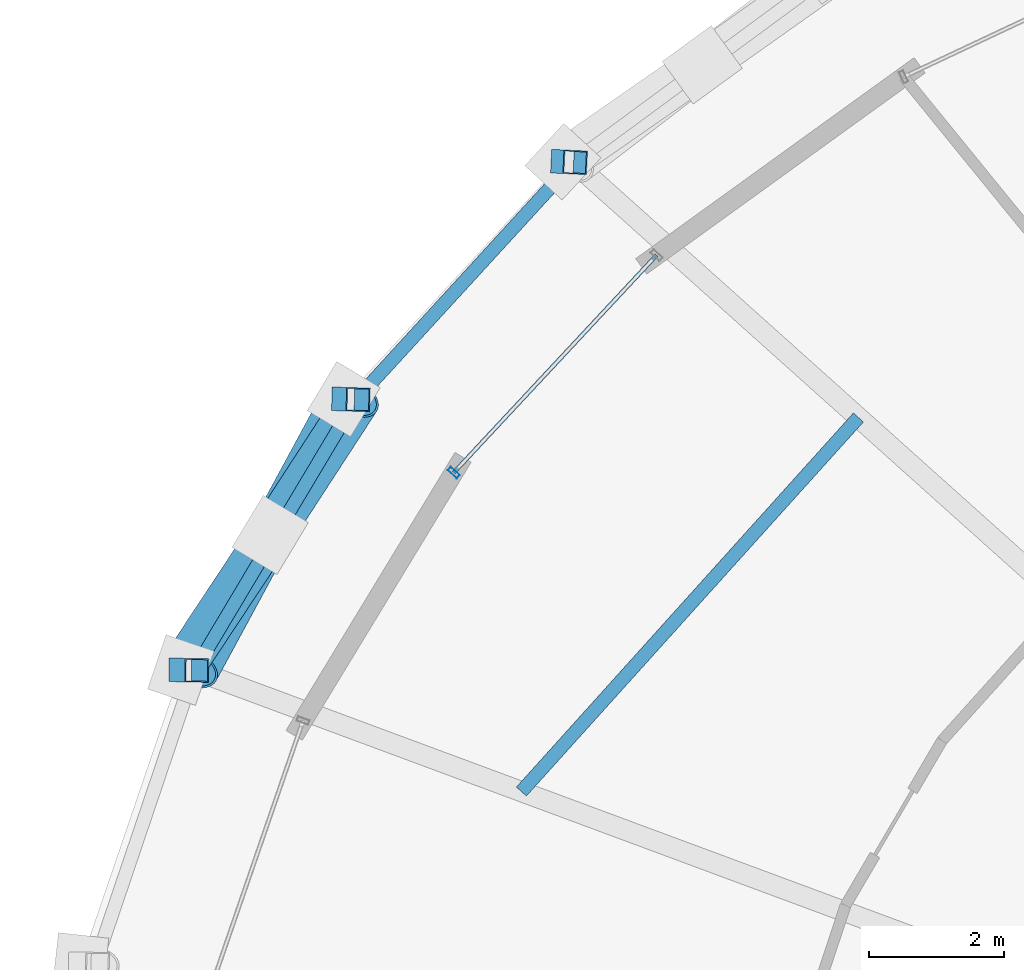
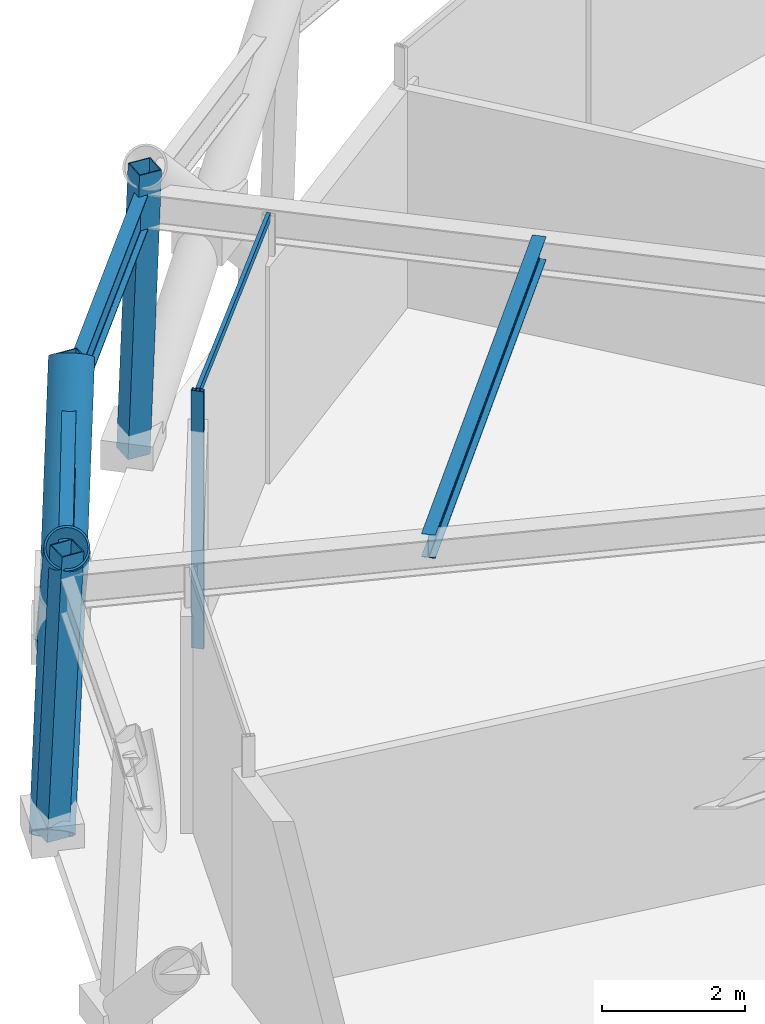
# One storey, part 15 of 29: 8 members, 3 beams, 1 element without a shape of its own.
"""IFC4 building model written with IfcOpenShell, lengths in metres."""

from ifc_helpers import new_model, si_unit, direction, frame, origin, origin_2d, place, context, subcontext, project, spatial, hollow_rectangle, hollow_circle, i_section, extrude, material, layer, layer_set, material_profile, profile_set, type_object, element, aggregate, save


model = new_model("IFC4")

# Units and contexts
model_context = context("Model", 3, precision=1e-05, world=origin(), true_north=direction((0.0, 1.0)))
body_context = subcontext(model_context, "Body", "Model", "MODEL_VIEW")
ifc_project = project(units=[si_unit("LENGTHUNIT", "METRE"), si_unit("AREAUNIT", "SQUARE_METRE"), si_unit("VOLUMEUNIT", "CUBIC_METRE"), si_unit("PLANEANGLEUNIT", "RADIAN"), si_unit("MASSUNIT", "GRAM", prefix="KILO")], contexts=[model_context])

# Site, building, storey
site_placement = place(None, origin())
site = spatial("IfcSite", under=ifc_project, at=site_placement, CompositionType="ELEMENT")
building_placement = place(site_placement, origin())
building = spatial("IfcBuilding", under=site, at=building_placement, Name="Veldorina Hangang Commons", CompositionType="ELEMENT")
storey_placement = place(building_placement, frame((0.0, 0.0, 203.60009765625)))
storey = spatial("IfcBuildingStorey", under=building, at=storey_placement, Name="L53", CompositionType="ELEMENT", Elevation=203.60009765625)

# Beams
ifc_material_1 = material(Name="Steel SM355-TMC", Category="steel")
ifc_material_profile_1 = material_profile(ifc_material_1, i_section(OverallWidth=0.199951171875, OverallDepth=0.39990234375, WebThickness=0.008056640625, FlangeThickness=0.012939453125, FilletRadius=0.012939453125, at=origin_2d()), Name="H-400x200x8x13")
ifc_profile_set_1 = profile_set([ifc_material_profile_1], Name="Steel SM355-TMC")
beam_type_1 = type_object("IfcBeamType", Name="BM-JST400", PredefinedType="JOIST", material=ifc_profile_set_1)
beam_1_placement = place(storey_placement, frame((17.916015625, 36.619140625, 4.239990234375), z_axis=(-0.669380687399, -0.742919575282, 0.0), x_axis=(0.742919575282, -0.669380687399, 0.0)))
element("IfcBeam", 1, at=beam_1_placement, inside=storey, type_object=beam_type_1, Name="L53 secondary floor joist 07", PredefinedType="JOIST", context=body_context, shape_type="SweptSolid", body=[
    extrude(i_section(OverallWidth=0.199951171875, OverallDepth=0.39990234375, WebThickness=0.008056640625, FlangeThickness=0.012939453125, FilletRadius=0.012939453125, at=origin_2d()), origin(), (0.0, 0.0, 1.0), 7.45654296875),
])
ifc_material_2 = material(Name="Steel SM420-TMC", Category="steel")
ifc_material_profile_2 = material_profile(ifc_material_2, i_section(OverallWidth=0.199951171875, OverallDepth=0.60009765625, WebThickness=0.010986328125, FlangeThickness=0.01708984375, FilletRadius=0.01806640625, at=origin_2d()), Name="H-600x200x11x17")
ifc_profile_set_2 = profile_set([ifc_material_profile_2], Name="Steel SM420-TMC")
beam_type_2 = type_object("IfcBeamType", Name="BM-RB600", PredefinedType="BEAM", material=ifc_profile_set_2)
beam_2_placement = place(storey_placement, frame((13.697021484375, 40.399658203125, 4.139892578125), z_axis=(-0.675436950643, -0.737417741654, 0.0), x_axis=(0.737417741654, -0.675436950643, 0.0)))
element("IfcBeam", 2, at=beam_2_placement, inside=storey, type_object=beam_type_2, Name="L53 perimeter hoop ring beam 12", PredefinedType="BEAM", context=body_context, shape_type="SweptSolid", body=[
    extrude(i_section(OverallWidth=0.199951171875, OverallDepth=0.60009765625, WebThickness=0.010986328125, FlangeThickness=0.01708984375, FilletRadius=0.01806640625, at=origin_2d()), origin(), (0.0, 0.0, 1.0), 4.76611328125),
])
beam_3_placement = place(storey_placement, frame((10.477783203125, 36.885009765625, 4.139892578125), z_axis=(-0.512310103749, -0.858800534232, 0.0), x_axis=(0.858800534232, -0.512310103749, 0.0)))
element("IfcBeam", 3, at=beam_3_placement, inside=storey, type_object=beam_type_2, Name="L53 perimeter hoop ring beam 13", PredefinedType="BEAM", context=body_context, shape_type="SweptSolid", body=[
    extrude(i_section(OverallWidth=0.199951171875, OverallDepth=0.60009765625, WebThickness=0.010986328125, FlangeThickness=0.01708984375, FilletRadius=0.01806640625, at=origin_2d()), origin(), (0.0, 0.0, 1.0), 4.668701171875),
])

# Curtain wall, members
ifc_material_3 = material(Name="Glass Acoustic Laminated", Category="glass")
ifc_layer = layer(ifc_material_3, 0.179931640625)
ifc_layer_set = layer_set([ifc_layer], Name="Glass Acoustic Laminated")
curtain_wall_type = type_object("IfcCurtainWallType", Name="CW-SYS-SKY", PredefinedType="NOTDEFINED", material=ifc_layer_set)
curtain_wall_placement = place(storey_placement, origin())
curtain_wall = element("IfcCurtainWall", 4, at=curtain_wall_placement, inside=storey, type_object=curtain_wall_type, Name="L53 unitised curtain wall CW-L53-R5", PredefinedType="NOTDEFINED")
ifc_material_4 = material(Name="Aluminium Anodized AA6063-T6", Category="aluminium")
ifc_material_profile_3 = material_profile(ifc_material_4, hollow_rectangle(XDim=0.070068359375, YDim=0.179931640625, WallThickness=0.00390625, at=origin_2d()), Name="ALU-RHS-180x70x4")
ifc_profile_set_3 = profile_set([ifc_material_profile_3], Name="Aluminium Anodized AA6063-T6")
member_type_1 = type_object("IfcMemberType", Name="CW-MUL-180", PredefinedType="MULLION", material=ifc_profile_set_3)
member_1_placement = place(storey_placement, frame((11.92333984375, 35.802001953125, 0.0), z_axis=(0.0, 0.0, 1.0), x_axis=(0.682113232419, 0.731246564545, 0.0)))
member_1 = element("IfcMember", 5, at=member_1_placement, type_object=member_type_1, Name="CW-L53-R5 vertical mullion 2", PredefinedType="MULLION", context=body_context, shape_type="SweptSolid", body=[
    extrude(hollow_rectangle(XDim=0.070068359375, YDim=0.179931640625, WallThickness=0.00390625, at=origin_2d()), origin(), (0.0, 0.0, 1.0), 4.39990234375),
])
ifc_material_profile_4 = material_profile(ifc_material_4, hollow_rectangle(XDim=0.06005859375, YDim=0.139892578125, WallThickness=0.00341796875, at=origin_2d()), Name="ALU-RHS-140x60x3.5")
ifc_profile_set_4 = profile_set([ifc_material_profile_4], Name="Aluminium Anodized AA6063-T6")
member_type_2 = type_object("IfcMemberType", Name="CW-TRN-140", PredefinedType="USERDEFINED", material=ifc_profile_set_4)
member_2_placement = place(storey_placement, frame((14.926025390625, 39.02099609375, 4.35986328125), z_axis=(-0.682110739388, -0.731248890058, 0.0), x_axis=(0.731248890058, -0.682110739388, 0.0)))
member_2 = element("IfcMember", 6, at=member_2_placement, type_object=member_type_2, Name="CW-L53-R5 facet 1 transom 1", ObjectType="TRANSOM", PredefinedType="USERDEFINED", context=body_context, shape_type="SweptSolid", body=[
    extrude(hollow_rectangle(XDim=0.06005859375, YDim=0.139892578125, WallThickness=0.00341796875, at=origin_2d()), origin(), (0.0, 0.0, 1.0), 4.402099609375),
])
aggregate(curtain_wall, [member_1, member_2])

# Members
ifc_material_5 = material(Name="Steel SM460-TMC", Category="steel")
ifc_material_profile_5 = material_profile(ifc_material_5, hollow_circle(Radius=0.324951171875, WallThickness=0.031982421875, at=origin_2d()), Name="CHS-650x32")
ifc_profile_set_5 = profile_set([ifc_material_profile_5], Name="Steel SM460-TMC")
member_type_3 = type_object("IfcMemberType", Name="DG-CHS650", PredefinedType="BRACE", material=ifc_profile_set_5)
member_3_placement = place(storey_placement, frame((10.293701171875, 36.890869140625, 0.0), z_axis=(-0.32831407417, -0.606146635253, 0.724428136721), x_axis=(0.879301293731, -0.476265928702, 0.0)))
element("IfcMember", 7, at=member_3_placement, inside=storey, type_object=member_type_3, Name="L53 continuous perimeter diagrid brace 13", PredefinedType="BRACE", context=body_context, shape_type="SweptSolid", body=[
    extrude(hollow_circle(Radius=0.324951171875, WallThickness=0.031982421875, at=origin_2d()), origin(), (0.0, 0.0, 1.0), 6.625732421875),
])
member_4_placement = place(storey_placement, frame((7.881103515625, 32.87939453125, 0.0), z_axis=(0.389694100552, 0.589142704783, 0.707848416962), x_axis=(-0.834049298805, 0.551689919395, 0.0)))
element("IfcMember", 8, at=member_4_placement, inside=storey, type_object=member_type_3, Name="L53 split perimeter diagrid lower brace 14", PredefinedType="BRACE", context=body_context, shape_type="SweptSolid", body=[
    extrude(hollow_circle(Radius=0.324951171875, WallThickness=0.031982421875, at=origin_2d()), origin(), (0.0, 0.0, 1.0), 3.3955078125),
])
member_5_placement = place(storey_placement, frame((9.204345703125, 34.8798828125, 2.403564453125), z_axis=(0.384880982154, 0.592180071867, 0.707947308816), x_axis=(-0.838466948709, 0.5449524529, 0.0)))
element("IfcMember", 9, at=member_5_placement, inside=storey, type_object=member_type_3, Name="L53 split perimeter diagrid upper brace 14", PredefinedType="BRACE", context=body_context, shape_type="SweptSolid", body=[
    extrude(hollow_circle(Radius=0.324951171875, WallThickness=0.031982421875, at=origin_2d()), origin(), (0.0, 0.0, 1.0), 3.384765625),
])
ifc_material_profile_6 = material_profile(ifc_material_1, hollow_rectangle(XDim=0.35009765625, YDim=0.35009765625, WallThickness=0.01611328125, at=origin_2d()), Name="SHS-350x350x16")
ifc_profile_set_6 = profile_set([ifc_material_profile_6], Name="Steel SM355-TMC")
member_type_4 = type_object("IfcMemberType", Name="STR-SHS350", PredefinedType="STRUT", material=ifc_profile_set_6)
member_6_placement = place(storey_placement, frame((13.540283203125, 40.406982421875, 0.0), z_axis=(0.03781620789, -0.001778988274, 0.999283127858), x_axis=(0.046991042846, 0.998895310777, 0.0)))
element("IfcMember", 10, at=member_6_placement, inside=storey, type_object=member_type_4, Name="L53 perimeter ring node post 12", PredefinedType="STRUT", context=body_context, shape_type="SweptSolid", body=[
    extrude(hollow_rectangle(XDim=0.35009765625, YDim=0.35009765625, WallThickness=0.01611328125, at=origin_2d()), origin(), (0.0, 0.0, 1.0), 4.80322265625),
])
member_7_placement = place(storey_placement, frame((10.293701171875, 36.890869140625, 0.0), z_axis=(0.044411841671, -0.001371990532, 0.99901236527), x_axis=(0.030877718053, 0.99952316958, 0.0)))
element("IfcMember", 11, at=member_7_placement, inside=storey, type_object=member_type_4, Name="L53 perimeter ring node post 13", PredefinedType="STRUT", context=body_context, shape_type="SweptSolid", body=[
    extrude(hollow_rectangle(XDim=0.35009765625, YDim=0.35009765625, WallThickness=0.01611328125, at=origin_2d()), origin(), (0.0, 0.0, 1.0), 4.804443359375),
])
member_8_placement = place(storey_placement, frame((7.881103515625, 32.87939453125, 0.0), z_axis=(0.049380150625, -0.000965249858, 0.998779589808), x_axis=(0.019543591677, 0.999809005773, 0.0)))
element("IfcMember", 12, at=member_8_placement, inside=storey, type_object=member_type_4, Name="L53 perimeter ring node post 14", PredefinedType="STRUT", context=body_context, shape_type="SweptSolid", body=[
    extrude(hollow_rectangle(XDim=0.35009765625, YDim=0.35009765625, WallThickness=0.01611328125, at=origin_2d()), origin(), (0.0, 0.0, 1.0), 4.8056640625),
])

save(model, "model.ifc")
